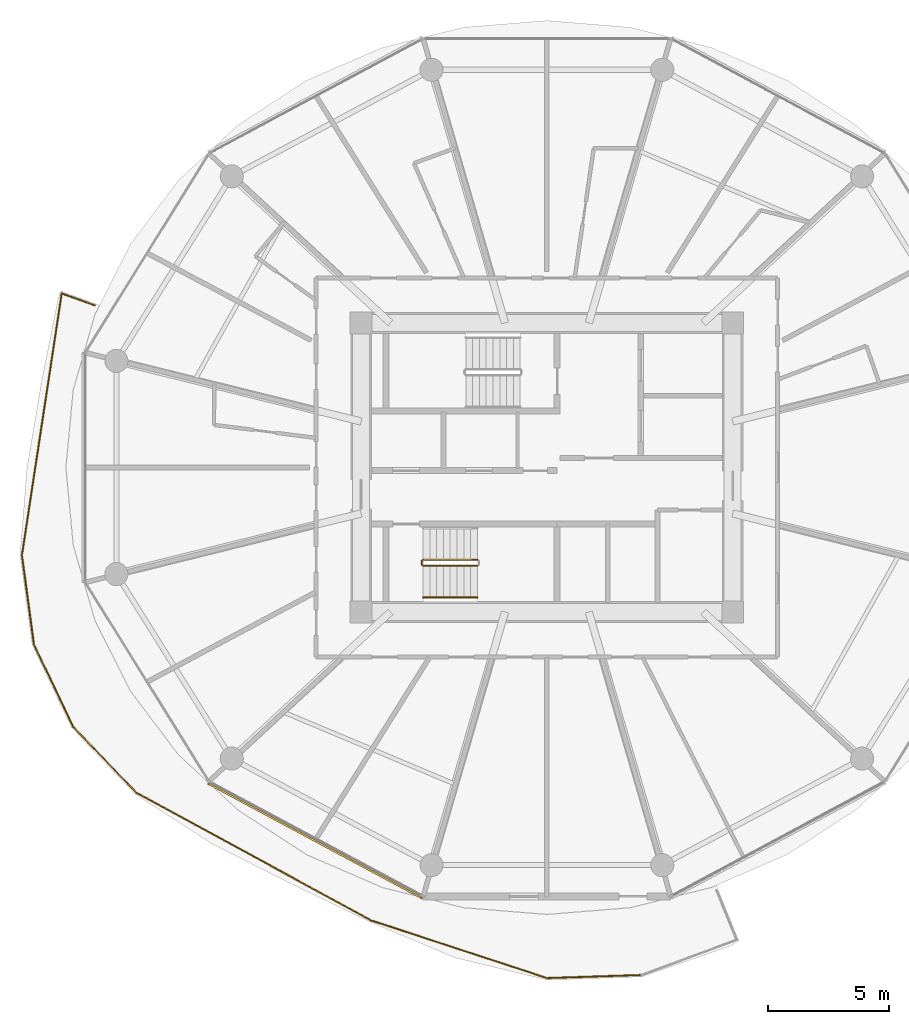
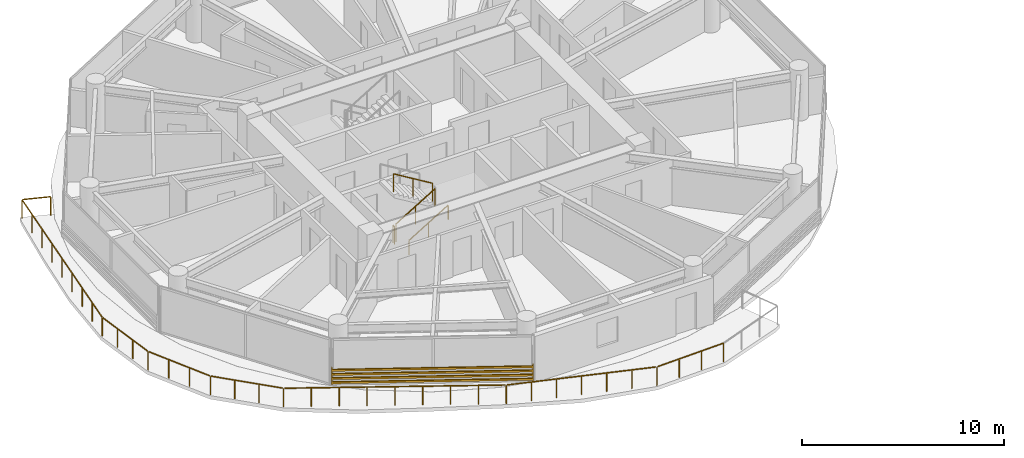
# One storey, part 22 of 27: 5 railings, 1 shading device.
"""IFC4 building model written with IfcOpenShell, lengths in metres."""

from ifc_helpers import new_model, si_unit, direction, frame, origin, origin_2d, place, context, subcontext, project, spatial, rectangle, extrude, source, transform, mapped, material, type_object, type_shapes, element, save


model = new_model("IFC4")

# Units and contexts
model_context = context("Model", 3, precision=1e-05, world=origin(), true_north=direction((0.0, 1.0)))
body_context = subcontext(model_context, "Body", "Model", "MODEL_VIEW")
ifc_project = project(units=[si_unit("LENGTHUNIT", "METRE"), si_unit("AREAUNIT", "SQUARE_METRE"), si_unit("VOLUMEUNIT", "CUBIC_METRE"), si_unit("PLANEANGLEUNIT", "RADIAN"), si_unit("MASSUNIT", "GRAM", prefix="KILO")], contexts=[model_context])

# Site, building, storey
site_placement = place(None, origin())
site = spatial("IfcSite", under=ifc_project, at=site_placement, CompositionType="ELEMENT")
building_placement = place(site_placement, origin())
building = spatial("IfcBuilding", under=site, at=building_placement, Name="Norrkilde Senior Care Towers", CompositionType="ELEMENT")
storey_placement = place(building_placement, frame((0.0, 0.0, 46.0)))
storey = spatial("IfcBuildingStorey", under=building, at=storey_placement, Name="L13", CompositionType="ELEMENT", Elevation=46.0)

# Railings
ifc_material_1 = material(Name="Anodised Aluminium", Category="aluminium")
railing_type_1 = type_object("IfcRailingType", Name="Balcony Swirl Ribbon Guardrail 1150", PredefinedType="GUARDRAIL", material=ifc_material_1)
railing_1_placement = place(storey_placement, frame((-24.10888671875, -20.895263671875, 0.0)))
element("IfcRailing", 1, at=railing_1_placement, inside=storey, type_object=railing_type_1, Name="L13 Perimeter Safety Guard 03", PredefinedType="GUARDRAIL", context=body_context, shape_type="SweptSolid", body=[
    extrude(rectangle(XDim=0.048095703125, YDim=0.048095703125, at=origin_2d()), frame((0.0, 0.0, 1.1259765625), z_axis=(-0.999478152687, -0.032302047943, 0.0), x_axis=(0.032302047943, -0.999478152687, 0.0)), (0.0, 0.0, 1.0), 3.843994140625),
    extrude(rectangle(XDim=0.048095703125, YDim=0.048095703125, at=origin_2d()), frame((-3.921630859375, -0.11279296875, 1.1259765625), z_axis=(-0.950325552273, 0.31125768215, 0.0), x_axis=(-0.31125768215, -0.950325552273, 0.0)), (0.0, 0.0, 1.0), 7.529052734375),
    extrude(rectangle(XDim=0.048095703125, YDim=0.048095703125, at=origin_2d()), frame((-11.1513671875, 2.262939453125, 1.1259765625), z_axis=(-0.878445090626, 0.477843303558, 0.0), x_axis=(-0.477843303558, -0.878445090626, 0.0)), (0.0, 0.0, 1.0), 10.94287109375),
    extrude(rectangle(XDim=0.048095703125, YDim=0.048095703125, at=origin_2d()), frame((-20.828369140625, 7.541015625, 1.1259765625), z_axis=(-0.691436136759, 0.722437588158, 0.0), x_axis=(-0.722437588158, -0.691436136759, 0.0)), (0.0, 0.0, 1.0), 3.6826171875),
    extrude(rectangle(XDim=0.048095703125, YDim=0.048095703125, at=origin_2d()), frame((-23.42041015625, 10.267822265625, 1.1259765625), z_axis=(-0.429459974926, 0.90308589289, 0.0), x_axis=(-0.90308589289, -0.429459974926, 0.0)), (0.0, 0.0, 1.0), 3.66064453125),
    extrude(rectangle(XDim=0.048095703125, YDim=0.048095703125, at=origin_2d()), frame((-25.015380859375, 13.651123046875, 1.1259765625), z_axis=(-0.133112330493, 0.991100957254, 0.0), x_axis=(-0.991100957254, -0.133112330493, 0.0)), (0.0, 0.0, 1.0), 3.626708984375),
    extrude(rectangle(XDim=0.048095703125, YDim=0.048095703125, at=origin_2d()), frame((-25.49755859375, 17.32666015625, 1.1259765625), z_axis=(0.150212119643, 0.988653791331, 0.0), x_axis=(-0.988653791331, 0.150212119643, 0.0)), (0.0, 0.0, 1.0), 10.817626953125),
    extrude(rectangle(XDim=0.048095703125, YDim=0.048095703125, at=origin_2d()), frame((-23.828125, 28.0478515625, 1.1259765625), z_axis=(0.940010194989, -0.341146351757, 0.0), x_axis=(0.341146351757, 0.940010194989, 0.0)), (0.0, 0.0, 1.0), 1.40478515625),
    extrude(rectangle(XDim=0.0419921875, YDim=0.0419921875, at=origin_2d()), origin(), (0.0, 0.0, 1.0), 1.099853515625),
    extrude(rectangle(XDim=0.0419921875, YDim=0.0419921875, at=origin_2d()), frame((-1.294189453125, -0.041748046875, 0.0)), (0.0, 0.0, 1.0), 1.099853515625),
    extrude(rectangle(XDim=0.0419921875, YDim=0.0419921875, at=origin_2d()), frame((-2.588623046875, -0.083740234375, 0.0)), (0.0, 0.0, 1.0), 1.099853515625),
    extrude(rectangle(XDim=0.0419921875, YDim=0.0419921875, at=origin_2d()), frame((-3.8828125, -0.12548828125, 0.0)), (0.0, 0.0, 1.0), 1.099853515625),
    extrude(rectangle(XDim=0.0419921875, YDim=0.0419921875, at=origin_2d()), frame((-5.08837890625, 0.269287109375, 0.0)), (0.0, 0.0, 1.0), 1.099853515625),
    extrude(rectangle(XDim=0.0419921875, YDim=0.0419921875, at=origin_2d()), frame((-6.293701171875, 0.6640625, 0.0)), (0.0, 0.0, 1.0), 1.099853515625),
    extrude(rectangle(XDim=0.0419921875, YDim=0.0419921875, at=origin_2d()), frame((-7.4990234375, 1.05908203125, 0.0)), (0.0, 0.0, 1.0), 1.099853515625),
    extrude(rectangle(XDim=0.0419921875, YDim=0.0419921875, at=origin_2d()), frame((-8.70458984375, 1.453857421875, 0.0)), (0.0, 0.0, 1.0), 1.099853515625),
    extrude(rectangle(XDim=0.0419921875, YDim=0.0419921875, at=origin_2d()), frame((-9.91015625, 1.8486328125, 0.0)), (0.0, 0.0, 1.0), 1.099853515625),
    extrude(rectangle(XDim=0.0419921875, YDim=0.0419921875, at=origin_2d()), frame((-11.115478515625, 2.243408203125, 0.0)), (0.0, 0.0, 1.0), 1.099853515625),
    extrude(rectangle(XDim=0.0419921875, YDim=0.0419921875, at=origin_2d()), frame((-12.326171875, 2.90185546875, 0.0)), (0.0, 0.0, 1.0), 1.099853515625),
    extrude(rectangle(XDim=0.0419921875, YDim=0.0419921875, at=origin_2d()), frame((-13.53662109375, 3.560546875, 0.0)), (0.0, 0.0, 1.0), 1.099853515625),
    extrude(rectangle(XDim=0.0419921875, YDim=0.0419921875, at=origin_2d()), frame((-14.7470703125, 4.218994140625, 0.0)), (0.0, 0.0, 1.0), 1.099853515625),
    extrude(rectangle(XDim=0.0419921875, YDim=0.0419921875, at=origin_2d()), frame((-15.957763671875, 4.87744140625, 0.0)), (0.0, 0.0, 1.0), 1.099853515625),
    extrude(rectangle(XDim=0.0419921875, YDim=0.0419921875, at=origin_2d()), frame((-17.16845703125, 5.535888671875, 0.0)), (0.0, 0.0, 1.0), 1.099853515625),
    extrude(rectangle(XDim=0.0419921875, YDim=0.0419921875, at=origin_2d()), frame((-18.37890625, 6.1943359375, 0.0)), (0.0, 0.0, 1.0), 1.099853515625),
    extrude(rectangle(XDim=0.0419921875, YDim=0.0419921875, at=origin_2d()), frame((-19.58935546875, 6.85302734375, 0.0)), (0.0, 0.0, 1.0), 1.099853515625),
    extrude(rectangle(XDim=0.0419921875, YDim=0.0419921875, at=origin_2d()), frame((-20.800048828125, 7.511474609375, 0.0)), (0.0, 0.0, 1.0), 1.099853515625),
    extrude(rectangle(XDim=0.0419921875, YDim=0.0419921875, at=origin_2d()), frame((-21.667724609375, 8.41796875, 0.0)), (0.0, 0.0, 1.0), 1.099853515625),
    extrude(rectangle(XDim=0.0419921875, YDim=0.0419921875, at=origin_2d()), frame((-22.53515625, 9.324462890625, 0.0)), (0.0, 0.0, 1.0), 1.099853515625),
    extrude(rectangle(XDim=0.0419921875, YDim=0.0419921875, at=origin_2d()), frame((-23.40283203125, 10.23095703125, 0.0)), (0.0, 0.0, 1.0), 1.099853515625),
    extrude(rectangle(XDim=0.0419921875, YDim=0.0419921875, at=origin_2d()), frame((-23.9384765625, 11.357421875, 0.0)), (0.0, 0.0, 1.0), 1.099853515625),
    extrude(rectangle(XDim=0.0419921875, YDim=0.0419921875, at=origin_2d()), frame((-24.474365234375, 12.484130859375, 0.0)), (0.0, 0.0, 1.0), 1.099853515625),
    extrude(rectangle(XDim=0.0419921875, YDim=0.0419921875, at=origin_2d()), frame((-25.010009765625, 13.610595703125, 0.0)), (0.0, 0.0, 1.0), 1.099853515625),
    extrude(rectangle(XDim=0.0419921875, YDim=0.0419921875, at=origin_2d()), frame((-25.174560546875, 14.835693359375, 0.0)), (0.0, 0.0, 1.0), 1.099853515625),
    extrude(rectangle(XDim=0.0419921875, YDim=0.0419921875, at=origin_2d()), frame((-25.339111328125, 16.06103515625, 0.0)), (0.0, 0.0, 1.0), 1.099853515625),
    extrude(rectangle(XDim=0.0419921875, YDim=0.0419921875, at=origin_2d()), frame((-25.503662109375, 17.2861328125, 0.0)), (0.0, 0.0, 1.0), 1.099853515625),
    extrude(rectangle(XDim=0.0419921875, YDim=0.0419921875, at=origin_2d()), frame((-25.299072265625, 18.633056640625, 0.0)), (0.0, 0.0, 1.0), 1.099853515625),
    extrude(rectangle(XDim=0.0419921875, YDim=0.0419921875, at=origin_2d()), frame((-25.09423828125, 19.97998046875, 0.0)), (0.0, 0.0, 1.0), 1.099853515625),
    extrude(rectangle(XDim=0.0419921875, YDim=0.0419921875, at=origin_2d()), frame((-24.8896484375, 21.326904296875, 0.0)), (0.0, 0.0, 1.0), 1.099853515625),
    extrude(rectangle(XDim=0.0419921875, YDim=0.0419921875, at=origin_2d()), frame((-24.68505859375, 22.673828125, 0.0)), (0.0, 0.0, 1.0), 1.099853515625),
    extrude(rectangle(XDim=0.0419921875, YDim=0.0419921875, at=origin_2d()), frame((-24.48046875, 24.02099609375, 0.0)), (0.0, 0.0, 1.0), 1.099853515625),
    extrude(rectangle(XDim=0.0419921875, YDim=0.0419921875, at=origin_2d()), frame((-24.27587890625, 25.367919921875, 0.0)), (0.0, 0.0, 1.0), 1.099853515625),
    extrude(rectangle(XDim=0.0419921875, YDim=0.0419921875, at=origin_2d()), frame((-24.071044921875, 26.71484375, 0.0)), (0.0, 0.0, 1.0), 1.099853515625),
    extrude(rectangle(XDim=0.0419921875, YDim=0.0419921875, at=origin_2d()), frame((-23.866455078125, 28.061767578125, 0.0)), (0.0, 0.0, 1.0), 1.099853515625),
    extrude(rectangle(XDim=0.0419921875, YDim=0.0419921875, at=origin_2d()), frame((-22.507568359375, 27.568603515625, 0.0)), (0.0, 0.0, 1.0), 1.099853515625),
])
ifc_material_2 = material(Name="Stainless Steel", Category="steel")
railing_type_2 = type_object("IfcRailingType", Name="Stair and Terrace Guardrail 1100", PredefinedType="GUARDRAIL", material=ifc_material_2)
railing_2_placement = place(storey_placement, frame((-33.10009765625, -4.050048828125, 0.16943359375)))
element("IfcRailing", 2, at=railing_2_placement, inside=storey, type_object=railing_type_2, Name="L13 ST-W2 stair guard 1", PredefinedType="GUARDRAIL", context=body_context, shape_type="SweptSolid", body=[
    extrude(rectangle(XDim=0.048095703125, YDim=0.048095703125, at=origin_2d()), frame((0.0, 0.0, 1.076171875), z_axis=(0.855553338991, 0.0, 0.51771467445), x_axis=(0.0, 1.0, 0.0)), (0.0, 0.0, 1.0), 2.6181640625),
    extrude(rectangle(XDim=0.0419921875, YDim=0.0419921875, at=origin_2d()), origin(), (0.0, 0.0, 1.0), 1.050048828125),
    extrude(rectangle(XDim=0.0419921875, YDim=0.0419921875, at=origin_2d()), frame((1.1201171875, 0.0, 0.677734375)), (0.0, 0.0, 1.0), 1.050048828125),
    extrude(rectangle(XDim=0.0419921875, YDim=0.0419921875, at=origin_2d()), frame((2.239990234375, 0.0, 1.35546875)), (0.0, 0.0, 1.0), 1.050048828125),
])
railing_3_placement = place(storey_placement, frame((-30.860107421875, -3.800048828125, 1.6943359375)))
element("IfcRailing", 3, at=railing_3_placement, inside=storey, type_object=railing_type_2, Name="L13 ST-W2 stair guard 3", PredefinedType="GUARDRAIL", context=body_context, shape_type="SweptSolid", body=[
    extrude(rectangle(XDim=0.048095703125, YDim=0.048095703125, at=origin_2d()), frame((0.0, 0.0, 1.076171875), z_axis=(-0.855512035549, 0.0, 0.517782924622), x_axis=(0.0, -1.0, 0.0)), (0.0, 0.0, 1.0), 2.618408203125),
    extrude(rectangle(XDim=0.0419921875, YDim=0.0419921875, at=origin_2d()), origin(), (0.0, 0.0, 1.0), 1.050048828125),
    extrude(rectangle(XDim=0.0419921875, YDim=0.0419921875, at=origin_2d()), frame((-1.1201171875, 0.0, 0.677734375)), (0.0, 0.0, 1.0), 1.050048828125),
    extrude(rectangle(XDim=0.0419921875, YDim=0.0419921875, at=origin_2d()), frame((-2.239990234375, 0.0, 1.355712890625)), (0.0, 0.0, 1.0), 1.050048828125),
])
railing_4_placement = place(storey_placement, frame((-33.14990234375, -4.0, 0.0)))
element("IfcRailing", 4, at=railing_4_placement, inside=storey, type_object=railing_type_2, Name="L13 ST-W2 stair guard 4", PredefinedType="GUARDRAIL", context=body_context, shape_type="SweptSolid", body=[
    extrude(rectangle(XDim=0.048095703125, YDim=0.048095703125, at=origin_2d()), frame((0.0, 0.0, 1.076171875), z_axis=(0.0, 1.0, 0.0), x_axis=(-1.0, 0.0, 0.0)), (0.0, 0.0, 1.0), 0.14990234375),
    extrude(rectangle(XDim=0.0419921875, YDim=0.0419921875, at=origin_2d()), origin(), (0.0, 0.0, 1.0), 1.050048828125),
    extrude(rectangle(XDim=0.0419921875, YDim=0.0419921875, at=origin_2d()), frame((0.0, 0.14990234375, 0.0)), (0.0, 0.0, 1.0), 1.050048828125),
])
ifc_material_3 = material(Name="Nordic Ash Timber", Category="wood")
railing_type_3 = type_object("IfcRailingType", Name="Wall and Stair Handrail 900", PredefinedType="HANDRAIL", material=ifc_material_3)
railing_5_placement = place(storey_placement, frame((-33.10009765625, -5.35009765625, 0.16943359375)))
element("IfcRailing", 5, at=railing_5_placement, inside=storey, type_object=railing_type_3, Name="L13 ST-W2 stair handrail 1", PredefinedType="HANDRAIL", context=body_context, shape_type="SweptSolid", body=[
    extrude(rectangle(XDim=0.048095703125, YDim=0.048095703125, at=origin_2d()), frame((0.0, 0.0, 0.8759765625), z_axis=(0.855553338991, 0.0, 0.51771467445), x_axis=(0.0, 1.0, 0.0)), (0.0, 0.0, 1.0), 2.6181640625),
    extrude(rectangle(XDim=0.0419921875, YDim=0.0419921875, at=origin_2d()), origin(), (0.0, 0.0, 1.0), 0.849853515625),
    extrude(rectangle(XDim=0.0419921875, YDim=0.0419921875, at=origin_2d()), frame((1.1201171875, 0.0, 0.677734375)), (0.0, 0.0, 1.0), 0.849853515625),
    extrude(rectangle(XDim=0.0419921875, YDim=0.0419921875, at=origin_2d()), frame((2.239990234375, 0.0, 1.35546875)), (0.0, 0.0, 1.0), 0.849853515625),
])

# Shading device
ifc_material_4 = material(Name="Architectural Terracotta", Category="masonry")
shading_device_type = type_object("IfcShadingDeviceType", Name="Horizontal Terracotta Baguette Rack", PredefinedType="USERDEFINED", material=ifc_material_4)
shared_shape = source(origin(), body_context, "Body", "SweptSolid", [
    extrude(rectangle(XDim=0.070068359375, YDim=0.110107421875, at=origin_2d()), frame((0.0, 0.090087890625, 0.125), z_axis=(1.0, 0.0, 0.0), x_axis=(0.0, 1.0, 0.0)), (0.0, 0.0, 1.0), 10.0107421875),
    extrude(rectangle(XDim=0.070068359375, YDim=0.110107421875, at=origin_2d()), frame((0.0, 0.090087890625, 0.375), z_axis=(1.0, 0.0, 0.0), x_axis=(0.0, 1.0, 0.0)), (0.0, 0.0, 1.0), 10.0107421875),
    extrude(rectangle(XDim=0.070068359375, YDim=0.110107421875, at=origin_2d()), frame((0.0, 0.090087890625, 0.625), z_axis=(1.0, 0.0, 0.0), x_axis=(0.0, 1.0, 0.0)), (0.0, 0.0, 1.0), 10.0107421875),
    extrude(rectangle(XDim=0.070068359375, YDim=0.110107421875, at=origin_2d()), frame((0.0, 0.090087890625, 0.875), z_axis=(1.0, 0.0, 0.0), x_axis=(0.0, 1.0, 0.0)), (0.0, 0.0, 1.0), 10.0107421875),
    extrude(rectangle(XDim=0.050048828125, YDim=0.1552734375, at=origin_2d()), frame((0.02490234375, 0.047607421875, 0.0)), (0.0, 0.0, 1.0), 1.0),
    extrude(rectangle(XDim=0.050048828125, YDim=0.1552734375, at=origin_2d()), frame((9.98583984375, 0.047607421875, 0.0)), (0.0, 0.0, 1.0), 1.0),
])
type_shapes(shading_device_type, [shared_shape])
shading_device_placement = place(storey_placement, frame((-33.093505859375, -17.6572265625, 0.080078125), z_axis=(0.0, 0.0, 1.0), x_axis=(-0.881279875134, 0.472612428056, 0.0)))
element("IfcShadingDevice", 6, at=shading_device_placement, inside=storey, type_object=shading_device_type, Name="L13 Drum W Terracotta Baguette Screen 07", ObjectType="BAGUETTE", PredefinedType="USERDEFINED", context=body_context, shape_type="MappedRepresentation", body=[
    mapped(shared_shape, transform((0.0, 0.0, 0.0), x_axis=(1.0, 0.0, 0.0), y_axis=(0.0, 1.0, 0.0), z_axis=(0.0, 0.0, 1.0), scale=1.0)),
])

save(model, "model.ifc")
